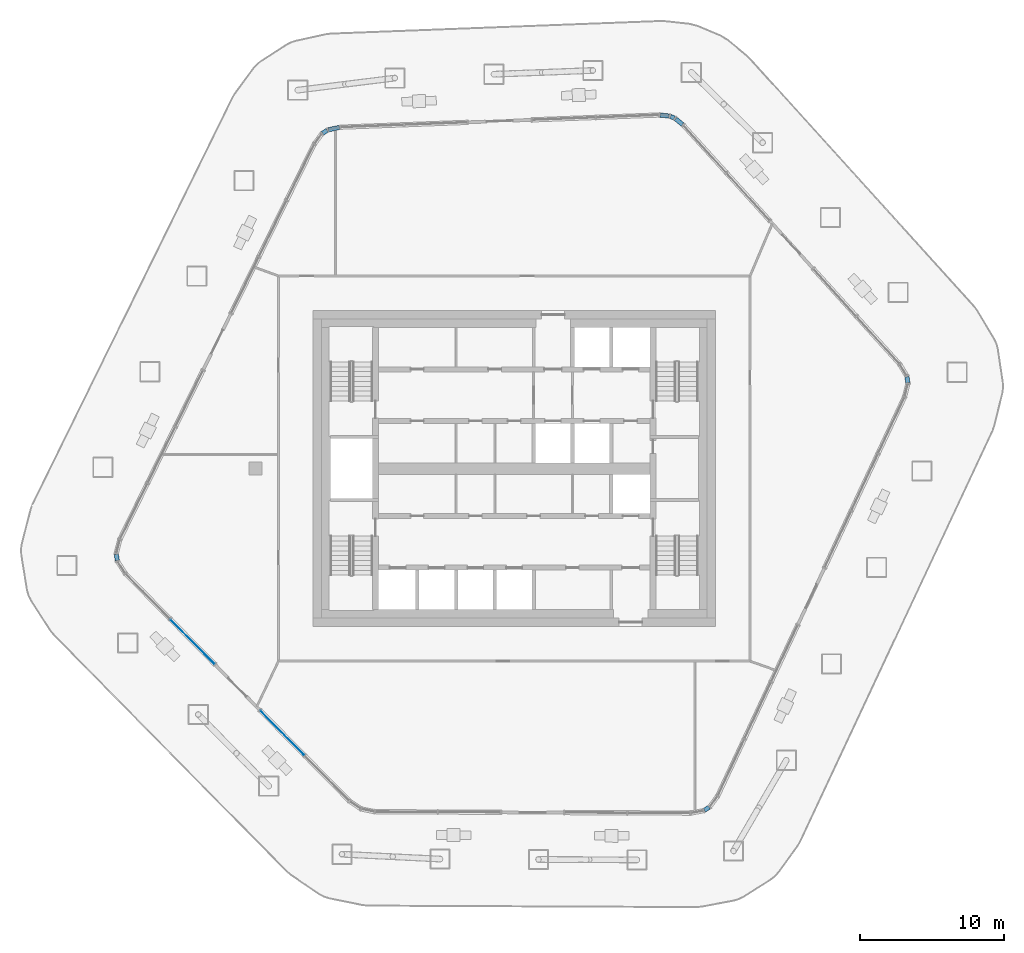
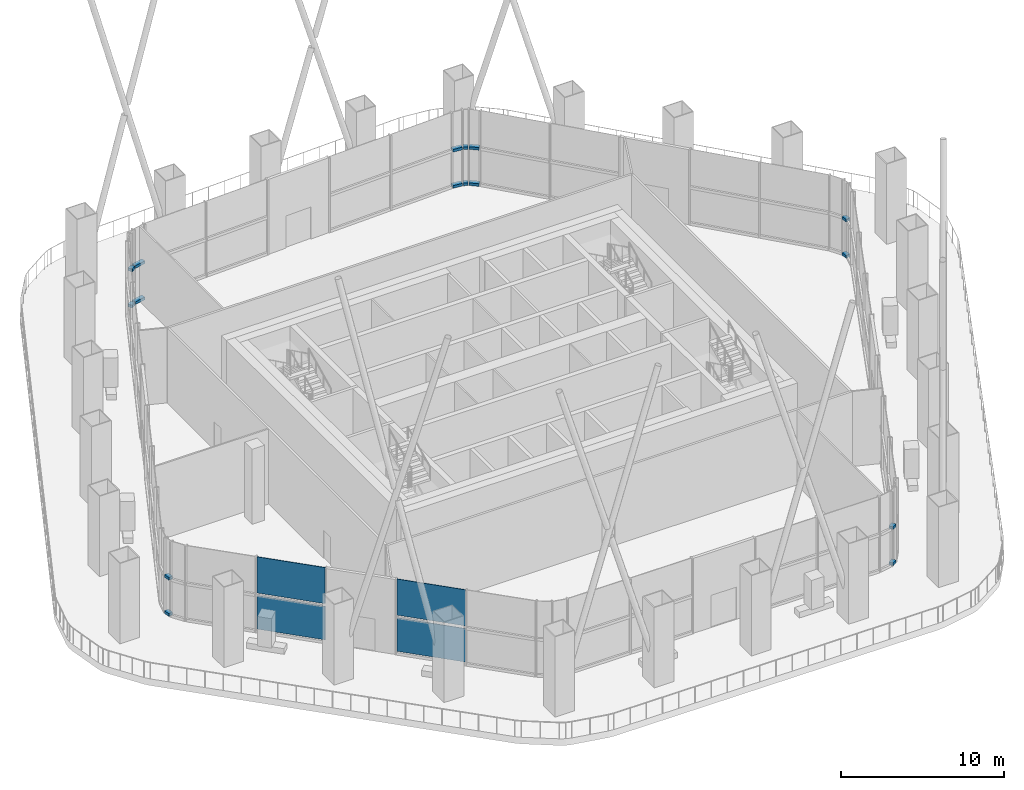
# One storey, part 6 of 20: 16 members, 4 plates, 7 elements without a shape of their own.
"""IFC4 building model written with IfcOpenShell, lengths in metres."""

from ifc_helpers import new_model, si_unit, direction, frame, origin, origin_2d, place, context, subcontext, project, spatial, rectangle, extrude, material, layer, layer_set, material_profile, profile_set, type_object, element, aggregate, save


model = new_model("IFC4")

# Units and contexts
model_context = context("Model", 3, precision=1e-05, world=origin(), true_north=direction((0.0, 1.0)))
body_context = subcontext(model_context, "Body", "Model", "MODEL_VIEW")
ifc_project = project(units=[si_unit("LENGTHUNIT", "METRE"), si_unit("AREAUNIT", "SQUARE_METRE"), si_unit("VOLUMEUNIT", "CUBIC_METRE"), si_unit("PLANEANGLEUNIT", "RADIAN"), si_unit("MASSUNIT", "GRAM", prefix="KILO")], contexts=[model_context])

# Site, building, storey
site_placement = place(None, origin())
site = spatial("IfcSite", under=ifc_project, at=site_placement, CompositionType="ELEMENT")
building_placement = place(site_placement, origin())
building = spatial("IfcBuilding", under=site, at=building_placement, Name="Dongbaek Canopy Tower", CompositionType="ELEMENT")
storey_placement = place(building_placement, frame((0.0, 0.0, 353.0)))
storey = spatial("IfcBuildingStorey", under=building, at=storey_placement, Name="L76", CompositionType="ELEMENT", Elevation=353.0)

# Curtain wall, members
ifc_material_1 = material(Name="Aluminium 6063-T6 pale anodised", Category="aluminium")
ifc_layer_1 = layer(ifc_material_1, 0.300048828125)
ifc_layer_set_1 = layer_set([ifc_layer_1], Name="CW-5 observation lounge curtain wall")
curtain_wall_type = type_object("IfcCurtainWallType", Name="CW-5 observation lounge curtain wall", PredefinedType="NOTDEFINED", material=ifc_layer_set_1)
curtain_wall_1_placement = place(storey_placement, origin())
curtain_wall_1 = element("IfcCurtainWall", 1, at=curtain_wall_1_placement, inside=storey, type_object=curtain_wall_type, Name="CW-5 curtain wall K0.1", PredefinedType="NOTDEFINED")
ifc_material_2 = material(Name="Aluminium 6063-T6 pale anodised", Category="aluminium")
ifc_material_profile = material_profile(ifc_material_2, rectangle(XDim=0.300048828125, YDim=0.199951171875, at=origin_2d()), Name="CW-5 transom 200 x 300")
ifc_profile_set = profile_set([ifc_material_profile], Name="Aluminium 6063-T6 pale anodised")
member_type = type_object("IfcMemberType", Name="CW-5 transom 200 x 300", PredefinedType="USERDEFINED", material=ifc_profile_set)
member_1_placement = place(storey_placement, frame((11.70458984375, 23.932861328125, 0.10009765625), z_axis=(-0.771660169309, 0.636035048643, 0.0), x_axis=(-0.636035048643, -0.771660169309, 0.0)))
member_1 = element("IfcMember", 2, at=member_1_placement, type_object=member_type, Name="CW-5 transom K0.1.1.1", ObjectType="TRANSOM", PredefinedType="USERDEFINED", context=body_context, shape_type="SweptSolid", body=[
    extrude(rectangle(XDim=0.300048828125, YDim=0.199951171875, at=origin_2d()), origin(), (0.0, 0.0, 1.0), 0.62646484375),
])
member_2_placement = place(storey_placement, frame((11.70458984375, 23.932861328125, 2.800048828125), z_axis=(-0.771660169309, 0.636035048643, 0.0), x_axis=(-0.636035048643, -0.771660169309, 0.0)))
member_2 = element("IfcMember", 3, at=member_2_placement, type_object=member_type, Name="CW-5 transom K0.1.1.2", ObjectType="TRANSOM", PredefinedType="USERDEFINED", context=body_context, shape_type="SweptSolid", body=[
    extrude(rectangle(XDim=0.300048828125, YDim=0.199951171875, at=origin_2d()), origin(), (0.0, 0.0, 1.0), 0.62646484375),
])
member_3_placement = place(storey_placement, frame((11.133056640625, 24.384521484375, 0.10009765625), z_axis=(-0.921715235602, 0.38786727686, 0.0), x_axis=(-0.38786727686, -0.921715235602, 0.0)))
member_3 = element("IfcMember", 4, at=member_3_placement, type_object=member_type, Name="CW-5 transom K0.1.2.1", ObjectType="TRANSOM", PredefinedType="USERDEFINED", context=body_context, shape_type="SweptSolid", body=[
    extrude(rectangle(XDim=0.300048828125, YDim=0.199951171875, at=origin_2d()), origin(), (0.0, 0.0, 1.0), 0.28759765625),
])
member_4_placement = place(storey_placement, frame((11.133056640625, 24.384521484375, 2.800048828125), z_axis=(-0.921715235602, 0.38786727686, 0.0), x_axis=(-0.38786727686, -0.921715235602, 0.0)))
member_4 = element("IfcMember", 5, at=member_4_placement, type_object=member_type, Name="CW-5 transom K0.1.2.2", ObjectType="TRANSOM", PredefinedType="USERDEFINED", context=body_context, shape_type="SweptSolid", body=[
    extrude(rectangle(XDim=0.300048828125, YDim=0.199951171875, at=origin_2d()), origin(), (0.0, 0.0, 1.0), 0.28759765625),
])
member_5_placement = place(storey_placement, frame((10.768310546875, 24.52197265625, 0.10009765625), z_axis=(-0.994244119228, 0.107138374917, 0.0), x_axis=(-0.107138374917, -0.994244119228, 0.0)))
member_5 = element("IfcMember", 6, at=member_5_placement, type_object=member_type, Name="CW-5 transom K0.1.3.1", ObjectType="TRANSOM", PredefinedType="USERDEFINED", context=body_context, shape_type="SweptSolid", body=[
    extrude(rectangle(XDim=0.300048828125, YDim=0.199951171875, at=origin_2d()), origin(), (0.0, 0.0, 1.0), 0.626708984375),
])
member_6_placement = place(storey_placement, frame((10.768310546875, 24.52197265625, 2.800048828125), z_axis=(-0.994244119228, 0.107138374917, 0.0), x_axis=(-0.107138374917, -0.994244119228, 0.0)))
member_6 = element("IfcMember", 7, at=member_6_placement, type_object=member_type, Name="CW-5 transom K0.1.3.2", ObjectType="TRANSOM", PredefinedType="USERDEFINED", context=body_context, shape_type="SweptSolid", body=[
    extrude(rectangle(XDim=0.300048828125, YDim=0.199951171875, at=origin_2d()), origin(), (0.0, 0.0, 1.0), 0.626708984375),
])
aggregate(curtain_wall_1, [member_1, member_2, member_3, member_4, member_5, member_6])

curtain_wall_2_placement = place(storey_placement, origin())
curtain_wall_2 = element("IfcCurtainWall", 8, at=curtain_wall_2_placement, inside=storey, type_object=curtain_wall_type, Name="CW-5 curtain wall K1.1", PredefinedType="NOTDEFINED")
member_7_placement = place(storey_placement, frame((-12.161376953125, 23.73388671875, 0.10009765625), z_axis=(-0.976441341013, -0.215783010363, 0.0), x_axis=(0.215783010363, -0.976441341013, 0.0)))
member_7 = element("IfcMember", 9, at=member_7_placement, type_object=member_type, Name="CW-5 transom K1.1.1.1", ObjectType="TRANSOM", PredefinedType="USERDEFINED", context=body_context, shape_type="SweptSolid", body=[
    extrude(rectangle(XDim=0.300048828125, YDim=0.199951171875, at=origin_2d()), origin(), (0.0, 0.0, 1.0), 0.78857421875),
])
member_8_placement = place(storey_placement, frame((-12.161376953125, 23.73388671875, 2.800048828125), z_axis=(-0.976441341013, -0.215783010363, 0.0), x_axis=(0.215783010363, -0.976441341013, 0.0)))
member_8 = element("IfcMember", 10, at=member_8_placement, type_object=member_type, Name="CW-5 transom K1.1.1.2", ObjectType="TRANSOM", PredefinedType="USERDEFINED", context=body_context, shape_type="SweptSolid", body=[
    extrude(rectangle(XDim=0.300048828125, YDim=0.199951171875, at=origin_2d()), origin(), (0.0, 0.0, 1.0), 0.78857421875),
])
member_9_placement = place(storey_placement, frame((-13.02587890625, 23.524169921875, 0.10009765625), z_axis=(-0.838519330481, -0.54487184953, 0.0), x_axis=(0.54487184953, -0.838519330481, 0.0)))
member_9 = element("IfcMember", 11, at=member_9_placement, type_object=member_type, Name="CW-5 transom K1.1.2.1", ObjectType="TRANSOM", PredefinedType="USERDEFINED", context=body_context, shape_type="SweptSolid", body=[
    extrude(rectangle(XDim=0.300048828125, YDim=0.199951171875, at=origin_2d()), origin(), (0.0, 0.0, 1.0), 0.368408203125),
])
member_10_placement = place(storey_placement, frame((-13.02587890625, 23.524169921875, 2.800048828125), z_axis=(-0.838519330481, -0.54487184953, 0.0), x_axis=(0.54487184953, -0.838519330481, 0.0)))
member_10 = element("IfcMember", 12, at=member_10_placement, type_object=member_type, Name="CW-5 transom K1.1.2.2", ObjectType="TRANSOM", PredefinedType="USERDEFINED", context=body_context, shape_type="SweptSolid", body=[
    extrude(rectangle(XDim=0.300048828125, YDim=0.199951171875, at=origin_2d()), origin(), (0.0, 0.0, 1.0), 0.368408203125),
])
aggregate(curtain_wall_2, [member_7, member_8, member_9, member_10])

curtain_wall_3_placement = place(storey_placement, origin())
curtain_wall_3 = element("IfcCurtainWall", 13, at=curtain_wall_3_placement, inside=storey, type_object=curtain_wall_type, Name="CW-5 curtain wall K2.1", PredefinedType="NOTDEFINED")
member_11_placement = place(storey_placement, frame((-27.684814453125, -5.971435546875, 0.10009765625), z_axis=(0.159214497115, -0.987244014369, 0.0), x_axis=(0.987244014369, 0.159214497115, 0.0)))
member_11 = element("IfcMember", 14, at=member_11_placement, type_object=member_type, Name="CW-5 transom K2.1.2.1", ObjectType="TRANSOM", PredefinedType="USERDEFINED", context=body_context, shape_type="SweptSolid", body=[
    extrude(rectangle(XDim=0.300048828125, YDim=0.199951171875, at=origin_2d()), origin(), (0.0, 0.0, 1.0), 0.427734375),
])
member_12_placement = place(storey_placement, frame((-27.684814453125, -5.971435546875, 2.800048828125), z_axis=(0.159214497115, -0.987244014369, 0.0), x_axis=(0.987244014369, 0.159214497115, 0.0)))
member_12 = element("IfcMember", 15, at=member_12_placement, type_object=member_type, Name="CW-5 transom K2.1.2.2", ObjectType="TRANSOM", PredefinedType="USERDEFINED", context=body_context, shape_type="SweptSolid", body=[
    extrude(rectangle(XDim=0.300048828125, YDim=0.199951171875, at=origin_2d()), origin(), (0.0, 0.0, 1.0), 0.427734375),
])
aggregate(curtain_wall_3, [member_11, member_12])

curtain_wall_4_placement = place(storey_placement, origin())
curtain_wall_4 = element("IfcCurtainWall", 16, at=curtain_wall_4_placement, inside=storey, type_object=curtain_wall_type, Name="CW-5 curtain wall K4.1", PredefinedType="NOTDEFINED")
member_13_placement = place(storey_placement, frame((13.2255859375, -23.771728515625, 0.10009765625), z_axis=(0.845222385971, 0.534414743672, 0.0), x_axis=(-0.534414743672, 0.845222385971, 0.0)))
member_13 = element("IfcMember", 17, at=member_13_placement, type_object=member_type, Name="CW-5 transom K4.1.2.1", ObjectType="TRANSOM", PredefinedType="USERDEFINED", context=body_context, shape_type="SweptSolid", body=[
    extrude(rectangle(XDim=0.300048828125, YDim=0.199951171875, at=origin_2d()), origin(), (0.0, 0.0, 1.0), 0.391845703125),
])
member_14_placement = place(storey_placement, frame((13.2255859375, -23.771728515625, 2.800048828125), z_axis=(0.845222385971, 0.534414743672, 0.0), x_axis=(-0.534414743672, 0.845222385971, 0.0)))
member_14 = element("IfcMember", 18, at=member_14_placement, type_object=member_type, Name="CW-5 transom K4.1.2.2", ObjectType="TRANSOM", PredefinedType="USERDEFINED", context=body_context, shape_type="SweptSolid", body=[
    extrude(rectangle(XDim=0.300048828125, YDim=0.199951171875, at=origin_2d()), origin(), (0.0, 0.0, 1.0), 0.391845703125),
])
aggregate(curtain_wall_4, [member_13, member_14])

curtain_wall_5_placement = place(storey_placement, origin())
curtain_wall_5 = element("IfcCurtainWall", 19, at=curtain_wall_5_placement, inside=storey, type_object=curtain_wall_type, Name="CW-5 curtain wall K5.1", PredefinedType="NOTDEFINED")
member_15_placement = place(storey_placement, frame((27.37841796875, 5.978271484375, 0.10009765625), z_axis=(-0.148664194254, 0.988887737484, 0.0), x_axis=(-0.988887737484, -0.148664194254, 0.0)))
member_15 = element("IfcMember", 20, at=member_15_placement, type_object=member_type, Name="CW-5 transom K5.1.2.1", ObjectType="TRANSOM", PredefinedType="USERDEFINED", context=body_context, shape_type="SweptSolid", body=[
    extrude(rectangle(XDim=0.300048828125, YDim=0.199951171875, at=origin_2d()), origin(), (0.0, 0.0, 1.0), 0.405517578125),
])
member_16_placement = place(storey_placement, frame((27.37841796875, 5.978271484375, 2.800048828125), z_axis=(-0.148664194254, 0.988887737484, 0.0), x_axis=(-0.988887737484, -0.148664194254, 0.0)))
member_16 = element("IfcMember", 21, at=member_16_placement, type_object=member_type, Name="CW-5 transom K5.1.2.2", ObjectType="TRANSOM", PredefinedType="USERDEFINED", context=body_context, shape_type="SweptSolid", body=[
    extrude(rectangle(XDim=0.300048828125, YDim=0.199951171875, at=origin_2d()), origin(), (0.0, 0.0, 1.0), 0.405517578125),
])
aggregate(curtain_wall_5, [member_15, member_16])

# Curtain wall, plates
curtain_wall_6_placement = place(storey_placement, origin())
curtain_wall_6 = element("IfcCurtainWall", 22, at=curtain_wall_6_placement, inside=storey, type_object=curtain_wall_type, Name="CW-5 curtain wall F3.1", PredefinedType="NOTDEFINED")
ifc_material_3 = material(Name="Clear laminated glass", Category="glass")
ifc_layer_2 = layer(ifc_material_3, 0.0400390625)
ifc_layer_set_2 = layer_set([ifc_layer_2], Name="CW-5 glazed panel 40")
plate_type = type_object("IfcPlateType", Name="CW-5 glazed panel 40", PredefinedType="CURTAIN_PANEL", material=ifc_layer_set_2)
plate_1_placement = place(storey_placement, frame((-22.383056640625, -12.04638671875, 0.199951171875), z_axis=(0.0, 0.0, 1.0), x_axis=(0.701718259547, -0.712454548879, 0.0)))
plate_1 = element("IfcPlate", 23, at=plate_1_placement, type_object=plate_type, Name="CW-5 panel F3.1.2.1", PredefinedType="CURTAIN_PANEL", context=body_context, shape_type="SweptSolid", body=[
    extrude(rectangle(XDim=4.343994140625, YDim=0.0400390625, at=origin_2d()), origin(), (0.0, 0.0, 1.0), 2.5),
])
plate_2_placement = place(storey_placement, frame((-22.383056640625, -12.04638671875, 2.89990234375), z_axis=(0.0, 0.0, 1.0), x_axis=(0.701718259547, -0.712454548879, 0.0)))
plate_2 = element("IfcPlate", 24, at=plate_2_placement, type_object=plate_type, Name="CW-5 panel F3.1.2.2", PredefinedType="CURTAIN_PANEL", context=body_context, shape_type="SweptSolid", body=[
    extrude(rectangle(XDim=4.343994140625, YDim=0.0400390625, at=origin_2d()), origin(), (0.0, 0.0, 1.0), 2.699951171875),
])
aggregate(curtain_wall_6, [plate_1, plate_2])

curtain_wall_7_placement = place(storey_placement, origin())
curtain_wall_7 = element("IfcCurtainWall", 25, at=curtain_wall_7_placement, inside=storey, type_object=curtain_wall_type, Name="CW-5 curtain wall F3.2", PredefinedType="NOTDEFINED")
plate_3_placement = place(storey_placement, frame((-16.140380859375, -18.384521484375, 0.199951171875), z_axis=(0.0, 0.0, 1.0), x_axis=(0.701718259547, -0.712454548879, 0.0)))
plate_3 = element("IfcPlate", 26, at=plate_3_placement, type_object=plate_type, Name="CW-5 panel F3.2.1.1", PredefinedType="CURTAIN_PANEL", context=body_context, shape_type="SweptSolid", body=[
    extrude(rectangle(XDim=4.343994140625, YDim=0.0400390625, at=origin_2d()), origin(), (0.0, 0.0, 1.0), 2.5),
])
plate_4_placement = place(storey_placement, frame((-16.140380859375, -18.384521484375, 2.89990234375), z_axis=(0.0, 0.0, 1.0), x_axis=(0.701718259547, -0.712454548879, 0.0)))
plate_4 = element("IfcPlate", 27, at=plate_4_placement, type_object=plate_type, Name="CW-5 panel F3.2.1.2", PredefinedType="CURTAIN_PANEL", context=body_context, shape_type="SweptSolid", body=[
    extrude(rectangle(XDim=4.343994140625, YDim=0.0400390625, at=origin_2d()), origin(), (0.0, 0.0, 1.0), 2.699951171875),
])
aggregate(curtain_wall_7, [plate_3, plate_4])

save(model, "model.ifc")
